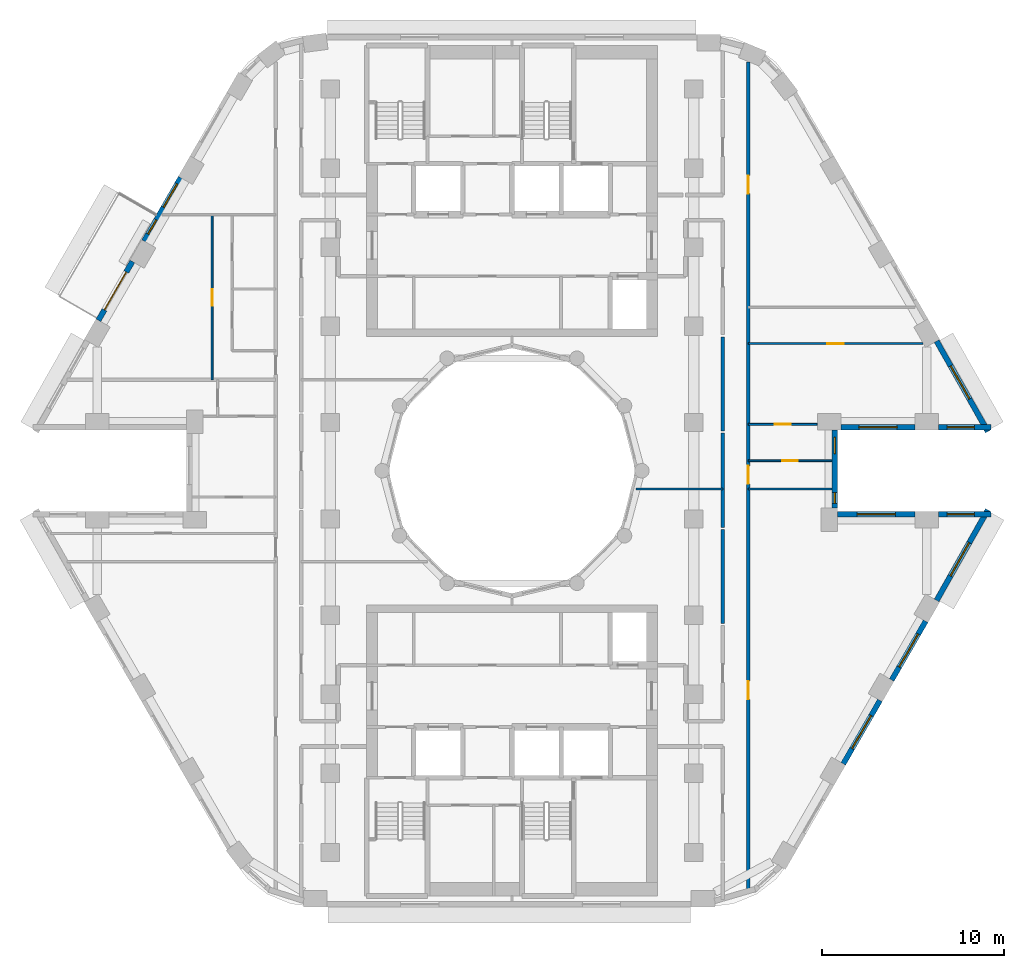
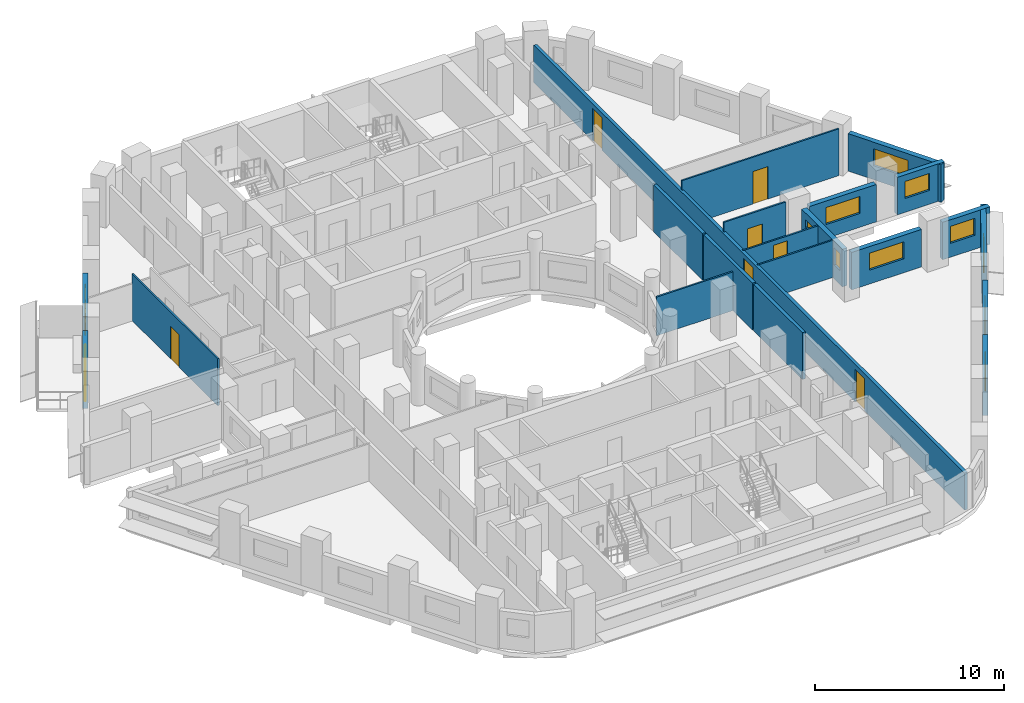
# One storey, part 6 of 13: 21 walls, 12 windows, 8 doors, 20 openings.
"""IFC4 building model written with IfcOpenShell, lengths in metres."""

from ifc_helpers import new_model, si_unit, direction, frame, frame_2d, origin, place, context, subcontext, project, spatial, rectangle, extrude, material, layer, layer_set, type_object, element, fill, save


model = new_model("IFC4")

# Units and contexts
model_context = context("Model", 3, precision=1e-05, world=origin(), true_north=direction((0.0, 1.0)))
body_context = subcontext(model_context, "Body", "Model", "MODEL_VIEW")
ifc_project = project(units=[si_unit("LENGTHUNIT", "METRE"), si_unit("AREAUNIT", "SQUARE_METRE"), si_unit("VOLUMEUNIT", "CUBIC_METRE"), si_unit("PLANEANGLEUNIT", "RADIAN"), si_unit("MASSUNIT", "GRAM", prefix="KILO")], contexts=[model_context])

# Site, building, storey
site_placement = place(None, origin())
site = spatial("IfcSite", under=ifc_project, at=site_placement, CompositionType="ELEMENT")
building_placement = place(site_placement, origin())
building = spatial("IfcBuilding", under=site, at=building_placement, Name="Nakaniwa Court", CompositionType="ELEMENT")
storey_placement = place(building_placement, frame((0.0, 0.0, 156.89990234375)))
storey = spatial("IfcBuildingStorey", under=building, at=storey_placement, Name="L41", CompositionType="ELEMENT", Elevation=156.89990234375)

# Walls
ifc_material_1 = material(Name="Acoustic double stud partition")
ifc_layer_1 = layer(ifc_material_1, 0.199951171875)
ifc_layer_set_1 = layer_set([ifc_layer_1], Name="Acoustic double stud partition")
wall_type_1 = type_object("IfcWallType", Name="Acoustic double stud partition 200", PredefinedType="PARTITIONING", material=ifc_layer_set_1)
for number, where, z_axis, x_axis, name in (
    (1, (91.60009765625, 71.587158203125, 0.0), (0.0, 0.0, 1.0), (0.0, 1.0, 0.0), "Partition PW-070"),
    (2, (91.60009765625, 76.88720703125, 0.0), (0.0, 0.0, 1.0), (0.0, 1.0, 0.0), "Partition PW-071"),
    (3, (91.60009765625, 82.187255859375, 0.0), (0.0, 0.0, 1.0), (0.0, 1.0, 0.0), "Partition PW-072"),
):
    element("IfcWall", number, at=place(storey_placement, frame(where, z_axis=z_axis, x_axis=x_axis)), inside=storey, type_object=wall_type_1, Name=name, PredefinedType="PARTITIONING", context=body_context, shape_type="SweptSolid", body=[
        extrude(rectangle(XDim=5.185546875, YDim=0.199951171875, at=frame_2d((2.5927734375, 0.0))), origin(), (0.0, 0.0, 1.0), 3.025146484375),
    ])

# Wall, openings, doors
wall_1_placement = place(storey_placement, frame((93.0, 102.498046875, 0.0), z_axis=(0.0, 0.0, 1.0), x_axis=(0.0, -1.0, 0.0)))
wall_1 = element("IfcWall", 4, at=wall_1_placement, inside=storey, type_object=wall_type_1, Name="Partition PW-080", PredefinedType="PARTITIONING", context=body_context, shape_type="SweptSolid", body=[
    extrude(rectangle(XDim=45.664794921875, YDim=0.199951171875, at=frame_2d((22.83251953125, 0.0))), origin(), (0.0, 0.0, 1.0), 2.405029296875),
])
opening_1_placement = place(wall_1_placement, frame((34.0810546875, 0.0, 0.0)))
opening_1 = element("IfcOpeningElement", 5, at=opening_1_placement, cuts=wall_1, Name="Opening D-02-02", PredefinedType="OPENING", context=body_context, shape_type="SweptSolid", body=[
    extrude(rectangle(XDim=1.0, YDim=2.10009765625, at=frame_2d((0.5, 1.050048828125))), frame((0.0, 0.10986328125, 0.0), z_axis=(0.0, -1.0, 0.0), x_axis=(1.0, 0.0, 0.0)), (0.0, 0.0, 1.0), 0.219970703125),
])
opening_2_placement = place(wall_1_placement, frame((22.222900390625, 0.0, 0.0)))
opening_2 = element("IfcOpeningElement", 6, at=opening_2_placement, cuts=wall_1, Name="Opening D-01-01", PredefinedType="OPENING", context=body_context, shape_type="SweptSolid", body=[
    extrude(rectangle(XDim=1.0, YDim=2.10009765625, at=frame_2d((0.5, 1.050048828125))), frame((0.0, 0.10986328125, 0.0), z_axis=(0.0, -1.0, 0.0), x_axis=(1.0, 0.0, 0.0)), (0.0, 0.0, 1.0), 0.219970703125),
])
opening_3_placement = place(wall_1_placement, frame((6.2509765625, 0.0, 0.0)))
opening_3 = element("IfcOpeningElement", 7, at=opening_3_placement, cuts=wall_1, Name="Opening D-02-04", PredefinedType="OPENING", context=body_context, shape_type="SweptSolid", body=[
    extrude(rectangle(XDim=1.0, YDim=2.10009765625, at=frame_2d((0.5, 1.050048828125))), frame((0.0, 0.10986328125, 0.0), z_axis=(0.0, -1.0, 0.0), x_axis=(1.0, 0.0, 0.0)), (0.0, 0.0, 1.0), 0.219970703125),
])
ifc_material_2 = material(Name="Solid core timber door set, black veneer", Category="wood")
door_type_1 = type_object("IfcDoorType", Name="Flat entrance door 1000", OperationType="NOTDEFINED", PredefinedType="DOOR", material=ifc_material_2)
door_1_placement = place(opening_2_placement, origin())
door_1 = element("IfcDoor", 8, at=door_1_placement, inside=storey, type_object=door_type_1, Name="Door D-01-01 L41-026", OperationType="SINGLE_SWING_LEFT", OverallHeight=2.10009765625, OverallWidth=1.0, PredefinedType="DOOR", context=body_context, shape_type="SweptSolid", body=[
    extrude(rectangle(XDim=1.0, YDim=2.10009765625, at=frame_2d((0.5, 1.050048828125))), frame((0.0, 0.02490234375, 0.0), z_axis=(0.0, -1.0, 0.0), x_axis=(1.0, 0.0, 0.0)), (0.0, 0.0, 1.0), 0.050048828125),
])
fill(opening_2, door_1)
door_type_2 = type_object("IfcDoorType", Name="Internal door 1000", OperationType="NOTDEFINED", PredefinedType="DOOR", material=ifc_material_2)
door_2_placement = place(opening_1_placement, origin())
door_2 = element("IfcDoor", 9, at=door_2_placement, inside=storey, type_object=door_type_2, Name="Door D-02-02 L41-024", OperationType="SINGLE_SWING_LEFT", OverallHeight=2.10009765625, OverallWidth=1.0, PredefinedType="DOOR", context=body_context, shape_type="SweptSolid", body=[
    extrude(rectangle(XDim=1.0, YDim=2.10009765625, at=frame_2d((0.5, 1.050048828125))), frame((0.0, 0.02490234375, 0.0), z_axis=(0.0, -1.0, 0.0), x_axis=(1.0, 0.0, 0.0)), (0.0, 0.0, 1.0), 0.050048828125),
])
fill(opening_1, door_2)
door_3_placement = place(opening_3_placement, origin())
door_3 = element("IfcDoor", 10, at=door_3_placement, inside=storey, type_object=door_type_2, Name="Door D-02-04 L41-030", OperationType="SINGLE_SWING_LEFT", OverallHeight=2.10009765625, OverallWidth=1.0, PredefinedType="DOOR", context=body_context, shape_type="SweptSolid", body=[
    extrude(rectangle(XDim=1.0, YDim=2.10009765625, at=frame_2d((0.5, 1.050048828125))), frame((0.0, 0.02490234375, 0.0), z_axis=(0.0, -1.0, 0.0), x_axis=(1.0, 0.0, 0.0)), (0.0, 0.0, 1.0), 0.050048828125),
])
fill(opening_3, door_3)

# Wall, opening, window
ifc_material_3 = material(Name="Charcoal ceramic cladding")
ifc_layer_2 = layer(ifc_material_3, 0.02, Name="Ceramic cladding")
ifc_material_4 = material(Name="Ventilated air cavity")
ifc_layer_3 = layer(ifc_material_4, 0.04, ventilated=True, Name="Ventilated cavity")
ifc_material_5 = material(Name="Mineral wool insulation")
ifc_layer_4 = layer(ifc_material_5, 0.1, Name="Insulation")
ifc_material_6 = material(Name="Cement bonded sheathing board")
ifc_layer_5 = layer(ifc_material_6, 0.012, Name="Sheathing")
ifc_material_7 = material(Name="Cold-formed galvanised stud frame with mineral wool infill")
ifc_layer_6 = layer(ifc_material_7, 0.1, Name="Stud frame")
ifc_material_8 = material(Name="Fire-rated gypsum plasterboard lining")
ifc_layer_7 = layer(ifc_material_8, 0.028, Name="Lining")
ifc_layer_set_2 = layer_set([ifc_layer_2, ifc_layer_3, ifc_layer_4, ifc_layer_5, ifc_layer_6, ifc_layer_7], Name="Charcoal ceramic faced external wall system")
wall_type_2 = type_object("IfcWallType", Name="Black ceramic faced external wall 300", PredefinedType="SOLIDWALL", material=ifc_layer_set_2)
wall_2_placement = place(storey_placement, frame((98.1044921875, 82.39990234375, 0.0), z_axis=(0.0, 0.0, 1.0), x_axis=(1.0, 0.0, 0.0)))
wall_2 = element("IfcWall", 11, at=wall_2_placement, inside=storey, type_object=wall_type_2, Name="L41 external wall 00", PredefinedType="SOLIDWALL", context=body_context, shape_type="SweptSolid", body=[
    extrude(rectangle(XDim=4.072509765625, YDim=0.300048828125, at=frame_2d((2.0361328125, 0.0))), origin(), (0.0, 0.0, 1.0), 2.425048828125),
])
opening_4_placement = place(wall_2_placement, frame((0.986083984375, 0.0, 0.89990234375)))
opening_4 = element("IfcOpeningElement", 12, at=opening_4_placement, cuts=wall_2, Name="Opening W7.01", PredefinedType="OPENING", context=body_context, shape_type="SweptSolid", body=[
    extrude(rectangle(XDim=2.10009765625, YDim=1.10009765625, at=frame_2d((1.050048828125, 0.550048828125))), frame((0.0, 0.159912109375, 0.0), z_axis=(0.0, -1.0, 0.0), x_axis=(1.0, 0.0, 0.0)), (0.0, 0.0, 1.0), 0.320068359375),
])
ifc_material_9 = material(Name="Black anodised aluminium frame with dark low-E laminated double glazing", Category="aluminium")
window_type_1 = type_object("IfcWindowType", Name="Dark glass window 2100x1100 sill 900", PartitioningType="SINGLE_PANEL", PredefinedType="WINDOW", material=ifc_material_9)
window_1_placement = place(opening_4_placement, origin())
window_1 = element("IfcWindow", 13, at=window_1_placement, inside=storey, type_object=window_type_1, Name="L41 living window 00-0", OverallHeight=1.10009765625, OverallWidth=2.10009765625, PartitioningType="SINGLE_PANEL", PredefinedType="WINDOW", context=body_context, shape_type="SweptSolid", body=[
    extrude(rectangle(XDim=2.10009765625, YDim=1.10009765625, at=frame_2d((1.050048828125, 0.550048828125))), frame((0.0, 0.030029296875, 0.0), z_axis=(0.0, -1.0, 0.0), x_axis=(1.0, 0.0, 0.0)), (0.0, 0.0, 1.0), 0.06005859375),
])
fill(opening_4, window_1)

wall_3_placement = place(storey_placement, frame((103.468994140625, 82.39990234375, 0.0), z_axis=(0.0, 0.0, 1.0), x_axis=(1.0, 0.0, 0.0)))
wall_3 = element("IfcWall", 14, at=wall_3_placement, inside=storey, type_object=wall_type_2, Name="L41 external wall 01", PredefinedType="SOLIDWALL", context=body_context, shape_type="SweptSolid", body=[
    extrude(rectangle(XDim=2.8876953125, YDim=0.300048828125, at=frame_2d((1.44384765625, 0.0))), origin(), (0.0, 0.0, 1.0), 2.425048828125),
])
opening_5_placement = place(wall_3_placement, frame((0.46875, 0.0, 0.89990234375)))
opening_5 = element("IfcOpeningElement", 15, at=opening_5_placement, cuts=wall_3, Name="Opening W5.02", PredefinedType="OPENING", context=body_context, shape_type="SweptSolid", body=[
    extrude(rectangle(XDim=1.5, YDim=1.10009765625, at=frame_2d((0.75, 0.550048828125))), frame((0.0, 0.159912109375, 0.0), z_axis=(0.0, -1.0, 0.0), x_axis=(1.0, 0.0, 0.0)), (0.0, 0.0, 1.0), 0.320068359375),
])
window_type_2 = type_object("IfcWindowType", Name="Dark glass window 1500x1100 sill 900", PartitioningType="SINGLE_PANEL", PredefinedType="WINDOW", material=ifc_material_9)
window_2_placement = place(opening_5_placement, origin())
window_2 = element("IfcWindow", 16, at=window_2_placement, inside=storey, type_object=window_type_2, Name="L41 living window 01-0", OverallHeight=1.10009765625, OverallWidth=1.5, PartitioningType="SINGLE_PANEL", PredefinedType="WINDOW", context=body_context, shape_type="SweptSolid", body=[
    extrude(rectangle(XDim=1.5, YDim=1.10009765625, at=frame_2d((0.75, 0.550048828125))), frame((0.0, 0.030029296875, 0.0), z_axis=(0.0, -1.0, 0.0), x_axis=(1.0, 0.0, 0.0)), (0.0, 0.0, 1.0), 0.06005859375),
])
fill(opening_5, window_2)

wall_4_placement = place(storey_placement, frame((106.18603515625, 82.1533203125, 0.0), z_axis=(0.0, 0.0, 1.0), x_axis=(-0.492498306264, 0.87031340236, 0.0)))
wall_4 = element("IfcWall", 17, at=wall_4_placement, inside=storey, type_object=wall_type_2, Name="L41 external wall 02", PredefinedType="SOLIDWALL", context=body_context, shape_type="SweptSolid", body=[
    extrude(rectangle(XDim=5.7265625, YDim=0.300048828125, at=frame_2d((2.86328125, 0.0))), origin(), (0.0, 0.0, 1.0), 2.425048828125),
])
opening_6_placement = place(wall_4_placement, frame((2.05859375, 0.0, 0.89990234375)))
opening_6 = element("IfcOpeningElement", 18, at=opening_6_placement, cuts=wall_4, Name="Opening W7.03", PredefinedType="OPENING", context=body_context, shape_type="SweptSolid", body=[
    extrude(rectangle(XDim=2.10009765625, YDim=1.10009765625, at=frame_2d((1.050048828125, 0.550048828125))), frame((0.0, 0.159912109375, 0.0), z_axis=(0.0, -1.0, 0.0), x_axis=(1.0, 0.0, 0.0)), (0.0, 0.0, 1.0), 0.320068359375),
])
window_3_placement = place(opening_6_placement, origin())
window_3 = element("IfcWindow", 19, at=window_3_placement, inside=storey, type_object=window_type_1, Name="L41 living window 02-0", OverallHeight=1.10009765625, OverallWidth=2.10009765625, PartitioningType="SINGLE_PANEL", PredefinedType="WINDOW", context=body_context, shape_type="SweptSolid", body=[
    extrude(rectangle(XDim=2.10009765625, YDim=1.10009765625, at=frame_2d((1.050048828125, 0.550048828125))), frame((0.0, 0.030029296875, 0.0), z_axis=(0.0, -1.0, 0.0), x_axis=(1.0, 0.0, 0.0)), (0.0, 0.0, 1.0), 0.06005859375),
])
fill(opening_6, window_3)

# Wall, openings, windows
wall_5_placement = place(storey_placement, frame((61.771728515625, 96.127685546875, 0.0), z_axis=(0.0, 0.0, 1.0), x_axis=(-0.500031546601, -0.86600718958, 0.0)))
wall_5 = element("IfcWall", 20, at=wall_5_placement, inside=storey, type_object=wall_type_2, Name="L41 external wall 12", PredefinedType="SOLIDWALL", context=body_context, shape_type="SweptSolid", body=[
    extrude(rectangle(XDim=4.033935546875, YDim=0.300048828125, at=frame_2d((2.01708984375, 0.0))), origin(), (0.0, 0.0, 1.0), 2.425048828125),
])
opening_7_placement = place(wall_5_placement, frame((0.393798828125, 0.0, 0.89990234375)))
opening_7 = element("IfcOpeningElement", 21, at=opening_7_placement, cuts=wall_5, Name="Opening W5.12", PredefinedType="OPENING", context=body_context, shape_type="SweptSolid", body=[
    extrude(rectangle(XDim=1.5, YDim=1.10009765625, at=frame_2d((0.75, 0.550048828125))), frame((0.0, 0.159912109375, 0.0), z_axis=(0.0, -1.0, 0.0), x_axis=(1.0, 0.0, 0.0)), (0.0, 0.0, 1.0), 0.320068359375),
])
opening_8_placement = place(wall_5_placement, frame((2.686279296875, 0.0, 0.89990234375)))
opening_8 = element("IfcOpeningElement", 22, at=opening_8_placement, cuts=wall_5, Name="Opening W9.13", PredefinedType="OPENING", context=body_context, shape_type="SweptSolid", body=[
    extrude(rectangle(XDim=0.89990234375, YDim=1.10009765625, at=frame_2d((0.449951171875, 0.550048828125))), frame((0.0, 0.159912109375, 0.0), z_axis=(0.0, -1.0, 0.0), x_axis=(1.0, 0.0, 0.0)), (0.0, 0.0, 1.0), 0.320068359375),
])
window_4_placement = place(opening_7_placement, origin())
window_4 = element("IfcWindow", 23, at=window_4_placement, inside=storey, type_object=window_type_2, Name="L41 habitable room window 12-0", OverallHeight=1.10009765625, OverallWidth=1.5, PartitioningType="SINGLE_PANEL", PredefinedType="WINDOW", context=body_context, shape_type="SweptSolid", body=[
    extrude(rectangle(XDim=1.5, YDim=1.10009765625, at=frame_2d((0.75, 0.550048828125))), frame((0.0, 0.030029296875, 0.0), z_axis=(0.0, -1.0, 0.0), x_axis=(1.0, 0.0, 0.0)), (0.0, 0.0, 1.0), 0.06005859375),
])
fill(opening_7, window_4)
window_type_3 = type_object("IfcWindowType", Name="Dark glass window 900x1100 sill 900", PartitioningType="SINGLE_PANEL", PredefinedType="WINDOW", material=ifc_material_9)
window_5_placement = place(opening_8_placement, origin())
window_5 = element("IfcWindow", 24, at=window_5_placement, inside=storey, type_object=window_type_3, Name="L41 living window 12-1", OverallHeight=1.10009765625, OverallWidth=0.89990234375, PartitioningType="SINGLE_PANEL", PredefinedType="WINDOW", context=body_context, shape_type="SweptSolid", body=[
    extrude(rectangle(XDim=0.89990234375, YDim=1.10009765625, at=frame_2d((0.449951171875, 0.550048828125))), frame((0.0, 0.030029296875, 0.0), z_axis=(0.0, -1.0, 0.0), x_axis=(1.0, 0.0, 0.0)), (0.0, 0.0, 1.0), 0.06005859375),
])
fill(opening_8, window_5)

# Wall, opening, door
wall_6_placement = place(storey_placement, frame((59.108642578125, 91.515380859375, 0.0), z_axis=(0.0, 0.0, 1.0), x_axis=(-0.499933594891, -0.866063739398, 0.0)))
wall_6 = element("IfcWall", 25, at=wall_6_placement, inside=storey, type_object=wall_type_2, Name="L41 external wall 13", PredefinedType="SOLIDWALL", context=body_context, shape_type="SweptSolid", body=[
    extrude(rectangle(XDim=3.73681640625, YDim=0.300048828125, at=frame_2d((1.868408203125, 0.0))), origin(), (0.0, 0.0, 1.0), 2.425048828125),
])
opening_9_placement = place(wall_6_placement, frame((0.66845703125, 0.0, 0.0)))
opening_9 = element("IfcOpeningElement", 26, at=opening_9_placement, cuts=wall_6, Name="Opening XD13.01", PredefinedType="OPENING", context=body_context, shape_type="SweptSolid", body=[
    extrude(rectangle(XDim=2.39990234375, YDim=2.0, at=frame_2d((1.199951171875, 1.0))), frame((0.0, 0.159912109375, 0.0), z_axis=(0.0, -1.0, 0.0), x_axis=(1.0, 0.0, 0.0)), (0.0, 0.0, 1.0), 0.320068359375),
])
ifc_material_10 = material(Name="Black powder-coated aluminium frame with dark laminated glass", Category="aluminium")
door_type_3 = type_object("IfcDoorType", Name="Balcony sliding door 2400x2000", OperationType="DOUBLE_DOOR_SLIDING", PredefinedType="DOOR", material=ifc_material_10)
door_4_placement = place(opening_9_placement, origin())
door_4 = element("IfcDoor", 27, at=door_4_placement, inside=storey, type_object=door_type_3, Name="L41 balcony sliding door 01", OperationType="DOUBLE_DOOR_SLIDING", OverallHeight=2.0, OverallWidth=2.39990234375, PredefinedType="DOOR", context=body_context, shape_type="SweptSolid", body=[
    extrude(rectangle(XDim=2.39990234375, YDim=2.0, at=frame_2d((1.199951171875, 1.0))), frame((0.0, 0.02490234375, 0.0), z_axis=(0.0, -1.0, 0.0), x_axis=(1.0, 0.0, 0.0)), (0.0, 0.0, 1.0), 0.050048828125),
])
fill(opening_9, door_4)

# Wall, opening, window
wall_7_placement = place(storey_placement, frame((98.228271484375, 63.872314453125, 0.0), z_axis=(0.0, 0.0, 1.0), x_axis=(0.500031546601, 0.86600718958, 0.0)))
wall_7 = element("IfcWall", 28, at=wall_7_placement, inside=storey, type_object=wall_type_2, Name="L41 external wall 30", PredefinedType="SOLIDWALL", context=body_context, shape_type="SweptSolid", body=[
    extrude(rectangle(XDim=4.033935546875, YDim=0.300048828125, at=frame_2d((2.01708984375, 0.0))), origin(), (0.0, 0.0, 1.0), 2.425048828125),
])
opening_10_placement = place(wall_7_placement, frame((0.967041015625, 0.0, 0.89990234375)))
opening_10 = element("IfcOpeningElement", 29, at=opening_10_placement, cuts=wall_7, Name="Opening W7.29", PredefinedType="OPENING", context=body_context, shape_type="SweptSolid", body=[
    extrude(rectangle(XDim=2.10009765625, YDim=1.10009765625, at=frame_2d((1.050048828125, 0.550048828125))), frame((0.0, 0.159912109375, 0.0), z_axis=(0.0, -1.0, 0.0), x_axis=(1.0, 0.0, 0.0)), (0.0, 0.0, 1.0), 0.320068359375),
])
window_6_placement = place(opening_10_placement, origin())
window_6 = element("IfcWindow", 30, at=window_6_placement, inside=storey, type_object=window_type_1, Name="L41 habitable room window 30-0", OverallHeight=1.10009765625, OverallWidth=2.10009765625, PartitioningType="SINGLE_PANEL", PredefinedType="WINDOW", context=body_context, shape_type="SweptSolid", body=[
    extrude(rectangle(XDim=2.10009765625, YDim=1.10009765625, at=frame_2d((1.050048828125, 0.550048828125))), frame((0.0, 0.030029296875, 0.0), z_axis=(0.0, -1.0, 0.0), x_axis=(1.0, 0.0, 0.0)), (0.0, 0.0, 1.0), 0.06005859375),
])
fill(opening_10, window_6)

wall_8_placement = place(storey_placement, frame((100.891357421875, 68.484619140625, 0.0), z_axis=(0.0, 0.0, 1.0), x_axis=(0.499933594891, 0.866063739398, 0.0)))
wall_8 = element("IfcWall", 31, at=wall_8_placement, inside=storey, type_object=wall_type_2, Name="L41 external wall 31", PredefinedType="SOLIDWALL", context=body_context, shape_type="SweptSolid", body=[
    extrude(rectangle(XDim=3.73681640625, YDim=0.300048828125, at=frame_2d((1.868408203125, 0.0))), origin(), (0.0, 0.0, 1.0), 2.425048828125),
])
opening_11_placement = place(wall_8_placement, frame((0.818359375, 0.0, 0.89990234375)))
opening_11 = element("IfcOpeningElement", 32, at=opening_11_placement, cuts=wall_8, Name="Opening W7.30", PredefinedType="OPENING", context=body_context, shape_type="SweptSolid", body=[
    extrude(rectangle(XDim=2.10009765625, YDim=1.10009765625, at=frame_2d((1.050048828125, 0.550048828125))), frame((0.0, 0.159912109375, 0.0), z_axis=(0.0, -1.0, 0.0), x_axis=(1.0, 0.0, 0.0)), (0.0, 0.0, 1.0), 0.320068359375),
])
window_7_placement = place(opening_11_placement, origin())
window_7 = element("IfcWindow", 33, at=window_7_placement, inside=storey, type_object=window_type_1, Name="L41 habitable room window 31-0", OverallHeight=1.10009765625, OverallWidth=2.10009765625, PartitioningType="SINGLE_PANEL", PredefinedType="WINDOW", context=body_context, shape_type="SweptSolid", body=[
    extrude(rectangle(XDim=2.10009765625, YDim=1.10009765625, at=frame_2d((1.050048828125, 0.550048828125))), frame((0.0, 0.030029296875, 0.0), z_axis=(0.0, -1.0, 0.0), x_axis=(1.0, 0.0, 0.0)), (0.0, 0.0, 1.0), 0.06005859375),
])
fill(opening_11, window_7)

wall_9_placement = place(storey_placement, frame((103.36572265625, 72.86279296875, 0.0), z_axis=(0.0, 0.0, 1.0), x_axis=(0.492498306264, 0.87031340236, 0.0)))
wall_9 = element("IfcWall", 34, at=wall_9_placement, inside=storey, type_object=wall_type_2, Name="L41 external wall 32", PredefinedType="SOLIDWALL", context=body_context, shape_type="SweptSolid", body=[
    extrude(rectangle(XDim=5.7265625, YDim=0.300048828125, at=frame_2d((2.86328125, 0.0))), origin(), (0.0, 0.0, 1.0), 2.425048828125),
])
opening_12_placement = place(wall_9_placement, frame((1.550048828125, 0.0, 0.89990234375)))
opening_12 = element("IfcOpeningElement", 35, at=opening_12_placement, cuts=wall_9, Name="Opening W7.31", PredefinedType="OPENING", context=body_context, shape_type="SweptSolid", body=[
    extrude(rectangle(XDim=2.10009765625, YDim=1.10009765625, at=frame_2d((1.050048828125, 0.550048828125))), frame((0.0, 0.159912109375, 0.0), z_axis=(0.0, -1.0, 0.0), x_axis=(1.0, 0.0, 0.0)), (0.0, 0.0, 1.0), 0.320068359375),
])
window_8_placement = place(opening_12_placement, origin())
window_8 = element("IfcWindow", 36, at=window_8_placement, inside=storey, type_object=window_type_1, Name="L41 habitable room window 32-0", OverallHeight=1.10009765625, OverallWidth=2.10009765625, PartitioningType="SINGLE_PANEL", PredefinedType="WINDOW", context=body_context, shape_type="SweptSolid", body=[
    extrude(rectangle(XDim=2.10009765625, YDim=1.10009765625, at=frame_2d((1.050048828125, 0.550048828125))), frame((0.0, 0.030029296875, 0.0), z_axis=(0.0, -1.0, 0.0), x_axis=(1.0, 0.0, 0.0)), (0.0, 0.0, 1.0), 0.06005859375),
])
fill(opening_12, window_8)

wall_10_placement = place(storey_placement, frame((106.356689453125, 77.60009765625, 0.0), z_axis=(0.0, 0.0, 1.0), x_axis=(-1.0, 0.0, 0.0)))
wall_10 = element("IfcWall", 37, at=wall_10_placement, inside=storey, type_object=wall_type_2, Name="L41 external wall 33", PredefinedType="SOLIDWALL", context=body_context, shape_type="SweptSolid", body=[
    extrude(rectangle(XDim=2.8876953125, YDim=0.300048828125, at=frame_2d((1.44384765625, 0.0))), origin(), (0.0, 0.0, 1.0), 2.425048828125),
])
opening_13_placement = place(wall_10_placement, frame((0.9189453125, 0.0, 0.89990234375)))
opening_13 = element("IfcOpeningElement", 38, at=opening_13_placement, cuts=wall_10, Name="Opening W5.32", PredefinedType="OPENING", context=body_context, shape_type="SweptSolid", body=[
    extrude(rectangle(XDim=1.5, YDim=1.10009765625, at=frame_2d((0.75, 0.550048828125))), frame((0.0, 0.159912109375, 0.0), z_axis=(0.0, -1.0, 0.0), x_axis=(1.0, 0.0, 0.0)), (0.0, 0.0, 1.0), 0.320068359375),
])
window_9_placement = place(opening_13_placement, origin())
window_9 = element("IfcWindow", 39, at=window_9_placement, inside=storey, type_object=window_type_2, Name="L41 habitable room window 33-0", OverallHeight=1.10009765625, OverallWidth=1.5, PartitioningType="SINGLE_PANEL", PredefinedType="WINDOW", context=body_context, shape_type="SweptSolid", body=[
    extrude(rectangle(XDim=1.5, YDim=1.10009765625, at=frame_2d((0.75, 0.550048828125))), frame((0.0, 0.030029296875, 0.0), z_axis=(0.0, -1.0, 0.0), x_axis=(1.0, 0.0, 0.0)), (0.0, 0.0, 1.0), 0.06005859375),
])
fill(opening_13, window_9)

wall_11_placement = place(storey_placement, frame((102.177001953125, 77.60009765625, 0.0), z_axis=(0.0, 0.0, 1.0), x_axis=(-1.0, 0.0, 0.0)))
wall_11 = element("IfcWall", 40, at=wall_11_placement, inside=storey, type_object=wall_type_2, Name="L41 external wall 34", PredefinedType="SOLIDWALL", context=body_context, shape_type="SweptSolid", body=[
    extrude(rectangle(XDim=4.272705078125, YDim=0.300048828125, at=frame_2d((2.13623046875, 0.0))), origin(), (0.0, 0.0, 1.0), 2.425048828125),
])
opening_14_placement = place(wall_11_placement, frame((1.086181640625, 0.0, 0.89990234375)))
opening_14 = element("IfcOpeningElement", 41, at=opening_14_placement, cuts=wall_11, Name="Opening W7.33", PredefinedType="OPENING", context=body_context, shape_type="SweptSolid", body=[
    extrude(rectangle(XDim=2.10009765625, YDim=1.10009765625, at=frame_2d((1.050048828125, 0.550048828125))), frame((0.0, 0.159912109375, 0.0), z_axis=(0.0, -1.0, 0.0), x_axis=(1.0, 0.0, 0.0)), (0.0, 0.0, 1.0), 0.320068359375),
])
window_10_placement = place(opening_14_placement, origin())
window_10 = element("IfcWindow", 42, at=window_10_placement, inside=storey, type_object=window_type_1, Name="L41 habitable room window 34-0", OverallHeight=1.10009765625, OverallWidth=2.10009765625, PartitioningType="SINGLE_PANEL", PredefinedType="WINDOW", context=body_context, shape_type="SweptSolid", body=[
    extrude(rectangle(XDim=2.10009765625, YDim=1.10009765625, at=frame_2d((1.050048828125, 0.550048828125))), frame((0.0, 0.030029296875, 0.0), z_axis=(0.0, -1.0, 0.0), x_axis=(1.0, 0.0, 0.0)), (0.0, 0.0, 1.0), 0.06005859375),
])
fill(opening_14, window_10)

# Wall, openings, windows
wall_12_placement = place(storey_placement, frame((97.75830078125, 77.946044921875, 0.0), z_axis=(0.0, 0.0, 1.0), x_axis=(0.0, 1.0, 0.0)))
wall_12 = element("IfcWall", 43, at=wall_12_placement, inside=storey, type_object=wall_type_2, Name="L41 external wall 35", PredefinedType="SOLIDWALL", context=body_context, shape_type="SweptSolid", body=[
    extrude(rectangle(XDim=4.307861328125, YDim=0.300048828125, at=frame_2d((2.15380859375, 0.0))), origin(), (0.0, 0.0, 1.0), 2.425048828125),
])
opening_15_placement = place(wall_12_placement, frame((0.251953125, 0.0, 0.89990234375)))
opening_15 = element("IfcOpeningElement", 44, at=opening_15_placement, cuts=wall_12, Name="Opening W8.34", PredefinedType="OPENING", context=body_context, shape_type="SweptSolid", body=[
    extrude(rectangle(XDim=0.60009765625, YDim=1.10009765625, at=frame_2d((0.300048828125, 0.550048828125))), frame((0.0, 0.159912109375, 0.0), z_axis=(0.0, -1.0, 0.0), x_axis=(1.0, 0.0, 0.0)), (0.0, 0.0, 1.0), 0.320068359375),
])
opening_16_placement = place(wall_12_placement, frame((2.993896484375, 0.0, 1.5)))
opening_16 = element("IfcOpeningElement", 45, at=opening_16_placement, cuts=wall_12, Name="Opening W10.35", PredefinedType="OPENING", context=body_context, shape_type="SweptSolid", body=[
    extrude(rectangle(XDim=0.89990234375, YDim=0.5, at=frame_2d((0.449951171875, 0.25))), frame((0.0, 0.159912109375, 0.0), z_axis=(0.0, -1.0, 0.0), x_axis=(1.0, 0.0, 0.0)), (0.0, 0.0, 1.0), 0.320068359375),
])
window_type_4 = type_object("IfcWindowType", Name="Dark glass window 600x1100 sill 900", PartitioningType="SINGLE_PANEL", PredefinedType="WINDOW", material=ifc_material_9)
window_11_placement = place(opening_15_placement, origin())
window_11 = element("IfcWindow", 46, at=window_11_placement, inside=storey, type_object=window_type_4, Name="L41 habitable room window 35-0", OverallHeight=1.10009765625, OverallWidth=0.60009765625, PartitioningType="SINGLE_PANEL", PredefinedType="WINDOW", context=body_context, shape_type="SweptSolid", body=[
    extrude(rectangle(XDim=0.60009765625, YDim=1.10009765625, at=frame_2d((0.300048828125, 0.550048828125))), frame((0.0, 0.030029296875, 0.0), z_axis=(0.0, -1.0, 0.0), x_axis=(1.0, 0.0, 0.0)), (0.0, 0.0, 1.0), 0.06005859375),
])
fill(opening_15, window_11)
window_type_5 = type_object("IfcWindowType", Name="Dark glass window 900x500 sill 1500", PartitioningType="SINGLE_PANEL", PredefinedType="WINDOW", material=ifc_material_9)
window_12_placement = place(opening_16_placement, origin())
window_12 = element("IfcWindow", 47, at=window_12_placement, inside=storey, type_object=window_type_5, Name="L41 bathroom window 35-2", OverallHeight=0.5, OverallWidth=0.89990234375, PartitioningType="SINGLE_PANEL", PredefinedType="WINDOW", context=body_context, shape_type="SweptSolid", body=[
    extrude(rectangle(XDim=0.89990234375, YDim=0.5, at=frame_2d((0.449951171875, 0.25))), frame((0.0, 0.030029296875, 0.0), z_axis=(0.0, -1.0, 0.0), x_axis=(1.0, 0.0, 0.0)), (0.0, 0.0, 1.0), 0.06005859375),
])
fill(opening_16, window_12)

# Walls
ifc_material_11 = material(Name="Single stud plasterboard partition")
ifc_layer_8 = layer(ifc_material_11, 0.10009765625)
ifc_layer_set_3 = layer_set([ifc_layer_8], Name="Single stud plasterboard partition")
wall_type_3 = type_object("IfcWallType", Name="Single stud plasterboard partition 100", PredefinedType="PARTITIONING", material=ifc_layer_set_3)
wall_13_placement = place(storey_placement, frame((86.833251953125, 79.0, 0.0), z_axis=(0.0, 0.0, 1.0), x_axis=(1.0, 0.0, 0.0)))
element("IfcWall", 48, at=wall_13_placement, inside=storey, type_object=wall_type_3, Name="Partition PW-115", PredefinedType="PARTITIONING", context=body_context, shape_type="SweptSolid", body=[
    extrude(rectangle(XDim=4.765869140625, YDim=0.10009765625, at=frame_2d((2.3828125, 0.0))), origin(), (0.0, 0.0, 1.0), 2.505126953125),
])
wall_14_placement = place(storey_placement, frame((93.0009765625, 79.0, 0.0), z_axis=(0.0, 0.0, 1.0), x_axis=(1.0, 0.0, 0.0)))
element("IfcWall", 49, at=wall_14_placement, inside=storey, type_object=wall_type_3, Name="Partition PW-116", PredefinedType="PARTITIONING", context=body_context, shape_type="SweptSolid", body=[
    extrude(rectangle(XDim=4.607421875, YDim=0.10009765625, at=frame_2d((2.3037109375, 0.0))), origin(), (0.0, 0.0, 1.0), 2.405029296875),
])

# Wall, opening, door
wall_15_placement = place(storey_placement, frame((93.0009765625, 80.550048828125, 0.0), z_axis=(0.0, 0.0, 1.0), x_axis=(1.0, 0.0, 0.0)))
wall_15 = element("IfcWall", 50, at=wall_15_placement, inside=storey, type_object=wall_type_3, Name="Partition PW-117", PredefinedType="PARTITIONING", context=body_context, shape_type="SweptSolid", body=[
    extrude(rectangle(XDim=4.607421875, YDim=0.10009765625, at=frame_2d((2.3037109375, 0.0))), origin(), (0.0, 0.0, 1.0), 2.405029296875),
])
opening_17_placement = place(wall_15_placement, frame((1.87890625, 0.0, 0.0)))
opening_17 = element("IfcOpeningElement", 51, at=opening_17_placement, cuts=wall_15, Name="Opening D-03-01", PredefinedType="OPENING", context=body_context, shape_type="SweptSolid", body=[
    extrude(rectangle(XDim=0.85009765625, YDim=2.10009765625, at=frame_2d((0.425048828125, 1.050048828125))), frame((0.0, 0.06005859375, 0.0), z_axis=(0.0, -1.0, 0.0), x_axis=(1.0, 0.0, 0.0)), (0.0, 0.0, 1.0), 0.1201171875),
])
ifc_material_12 = material(Name="Moisture sealed timber door set", Category="wood")
door_type_4 = type_object("IfcDoorType", Name="Bathroom door 850", OperationType="NOTDEFINED", PredefinedType="DOOR", material=ifc_material_12)
door_5_placement = place(opening_17_placement, origin())
door_5 = element("IfcDoor", 52, at=door_5_placement, inside=storey, type_object=door_type_4, Name="Door D-03-01 L41-027", OperationType="SINGLE_SWING_RIGHT", OverallHeight=2.10009765625, OverallWidth=0.85009765625, PredefinedType="DOOR", context=body_context, shape_type="SweptSolid", body=[
    extrude(rectangle(XDim=0.85009765625, YDim=2.10009765625, at=frame_2d((0.425048828125, 1.050048828125))), frame((0.0, 0.02490234375, 0.0), z_axis=(0.0, -1.0, 0.0), x_axis=(1.0, 0.0, 0.0)), (0.0, 0.0, 1.0), 0.050048828125),
])
fill(opening_17, door_5)

wall_16_placement = place(storey_placement, frame((93.0009765625, 82.551025390625, 0.0), z_axis=(0.0, 0.0, 1.0), x_axis=(1.0, 0.0, 0.0)))
wall_16 = element("IfcWall", 53, at=wall_16_placement, inside=storey, type_object=wall_type_3, Name="Partition PW-118", PredefinedType="PARTITIONING", context=body_context, shape_type="SweptSolid", body=[
    extrude(rectangle(XDim=3.787353515625, YDim=0.10009765625, at=frame_2d((1.8935546875, 0.0))), origin(), (0.0, 0.0, 1.0), 3.025146484375),
])
opening_18_placement = place(wall_16_placement, frame((1.444091796875, 0.0, 0.0)))
opening_18 = element("IfcOpeningElement", 54, at=opening_18_placement, cuts=wall_16, Name="Opening D-33-01", PredefinedType="OPENING", context=body_context, shape_type="SweptSolid", body=[
    extrude(rectangle(XDim=0.89990234375, YDim=2.10009765625, at=frame_2d((0.449951171875, 1.050048828125))), frame((0.0, 0.06005859375, 0.0), z_axis=(0.0, -1.0, 0.0), x_axis=(1.0, 0.0, 0.0)), (0.0, 0.0, 1.0), 0.1201171875),
])
door_type_5 = type_object("IfcDoorType", Name="Internal door 900", OperationType="NOTDEFINED", PredefinedType="DOOR", material=ifc_material_2)
door_6_placement = place(opening_18_placement, origin())
door_6 = element("IfcDoor", 55, at=door_6_placement, inside=storey, type_object=door_type_5, Name="Door D-33-01 L41-028", OperationType="SINGLE_SWING_LEFT", OverallHeight=2.10009765625, OverallWidth=0.89990234375, PredefinedType="DOOR", context=body_context, shape_type="SweptSolid", body=[
    extrude(rectangle(XDim=0.89990234375, YDim=2.10009765625, at=frame_2d((0.449951171875, 1.050048828125))), frame((0.0, 0.02490234375, 0.0), z_axis=(0.0, -1.0, 0.0), x_axis=(1.0, 0.0, 0.0)), (0.0, 0.0, 1.0), 0.050048828125),
])
fill(opening_18, door_6)

wall_17_placement = place(storey_placement, frame((93.0009765625, 86.9990234375, 0.0), z_axis=(0.0, 0.0, 1.0), x_axis=(1.0, 0.0, 0.0)))
wall_17 = element("IfcWall", 56, at=wall_17_placement, inside=storey, type_object=wall_type_3, Name="Partition PW-119", PredefinedType="PARTITIONING", context=body_context, shape_type="SweptSolid", body=[
    extrude(rectangle(XDim=9.60888671875, YDim=0.10009765625, at=frame_2d((4.804443359375, 0.0))), origin(), (0.0, 0.0, 1.0), 3.025146484375),
])
opening_19_placement = place(wall_17_placement, frame((4.35400390625, 0.0, 0.0)))
opening_19 = element("IfcOpeningElement", 57, at=opening_19_placement, cuts=wall_17, Name="Opening D-33-02", PredefinedType="OPENING", context=body_context, shape_type="SweptSolid", body=[
    extrude(rectangle(XDim=0.89990234375, YDim=2.10009765625, at=frame_2d((0.449951171875, 1.050048828125))), frame((0.0, 0.06005859375, 0.0), z_axis=(0.0, -1.0, 0.0), x_axis=(1.0, 0.0, 0.0)), (0.0, 0.0, 1.0), 0.1201171875),
])
door_7_placement = place(opening_19_placement, origin())
door_7 = element("IfcDoor", 58, at=door_7_placement, inside=storey, type_object=door_type_5, Name="Door D-33-02 L41-029", OperationType="SINGLE_SWING_RIGHT", OverallHeight=2.10009765625, OverallWidth=0.89990234375, PredefinedType="DOOR", context=body_context, shape_type="SweptSolid", body=[
    extrude(rectangle(XDim=0.89990234375, YDim=2.10009765625, at=frame_2d((0.449951171875, 1.050048828125))), frame((0.0, 0.02490234375, 0.0), z_axis=(0.0, -1.0, 0.0), x_axis=(1.0, 0.0, 0.0)), (0.0, 0.0, 1.0), 0.050048828125),
])
fill(opening_19, door_7)

wall_18_placement = place(storey_placement, frame((63.4990234375, 85.0, 0.0), z_axis=(0.0, 0.0, 1.0), x_axis=(0.0, 1.0, 0.0)))
wall_18 = element("IfcWall", 59, at=wall_18_placement, inside=storey, type_object=wall_type_3, Name="Partition PW-133", PredefinedType="PARTITIONING", context=body_context, shape_type="SweptSolid", body=[
    extrude(rectangle(XDim=9.083251953125, YDim=0.10009765625, at=frame_2d((4.54150390625, 0.0))), origin(), (0.0, 0.0, 1.0), 3.025146484375),
])
opening_20_placement = place(wall_18_placement, frame((4.092041015625, 0.0, 0.0)))
opening_20 = element("IfcOpeningElement", 60, at=opening_20_placement, cuts=wall_18, Name="Opening D-33-07", PredefinedType="OPENING", context=body_context, shape_type="SweptSolid", body=[
    extrude(rectangle(XDim=0.89990234375, YDim=2.10009765625, at=frame_2d((0.449951171875, 1.050048828125))), frame((0.0, 0.06005859375, 0.0), z_axis=(0.0, -1.0, 0.0), x_axis=(1.0, 0.0, 0.0)), (0.0, 0.0, 1.0), 0.1201171875),
])
door_8_placement = place(opening_20_placement, origin())
door_8 = element("IfcDoor", 61, at=door_8_placement, inside=storey, type_object=door_type_5, Name="Door D-33-07 L41-044", OperationType="SINGLE_SWING_LEFT", OverallHeight=2.10009765625, OverallWidth=0.89990234375, PredefinedType="DOOR", context=body_context, shape_type="SweptSolid", body=[
    extrude(rectangle(XDim=0.89990234375, YDim=2.10009765625, at=frame_2d((0.449951171875, 1.050048828125))), frame((0.0, 0.02490234375, 0.0), z_axis=(0.0, -1.0, 0.0), x_axis=(1.0, 0.0, 0.0)), (0.0, 0.0, 1.0), 0.050048828125),
])
fill(opening_20, door_8)

save(model, "model.ifc")
